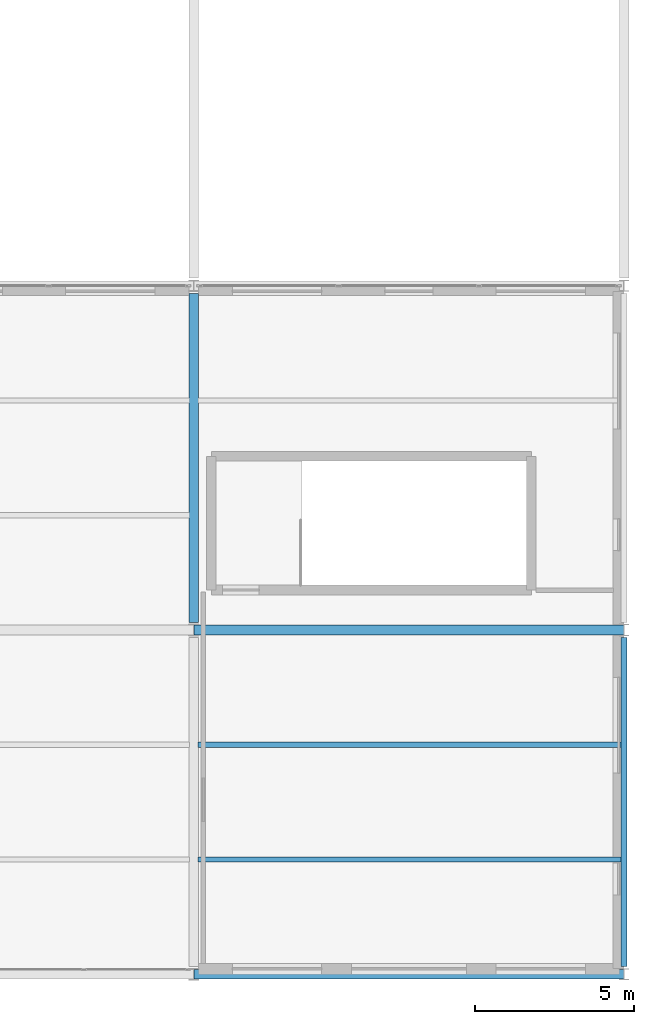
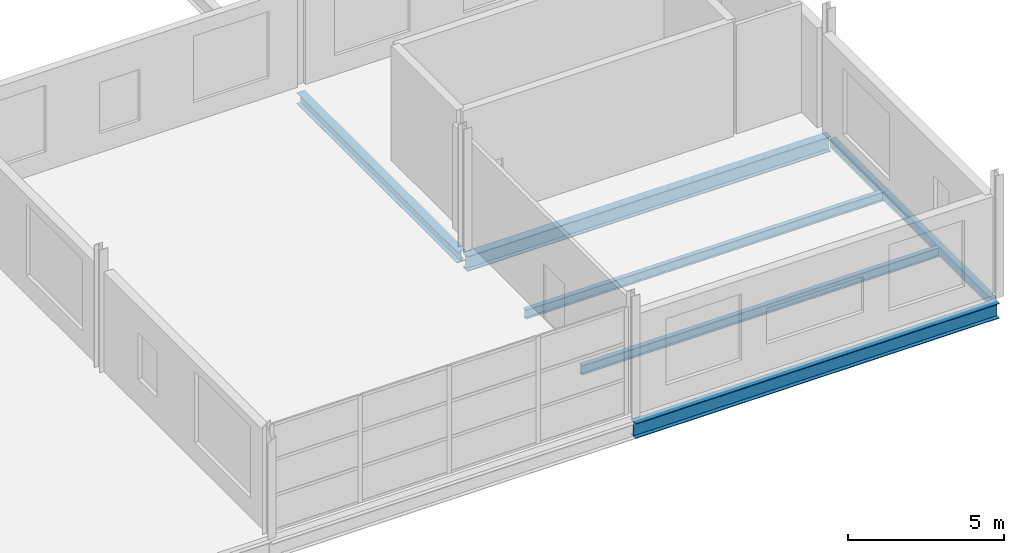
# One storey, part 90 of 134: 6 beams.
"""IFC4 building model written with IfcOpenShell, lengths in metres."""

from ifc_helpers import new_model, si_unit, direction, frame, origin, origin_2d, place, context, subcontext, project, spatial, hollow_rectangle, i_section, extrude, material, material_profile, profile_set, type_object, element, save


model = new_model("IFC4")

# Units and contexts
model_context = context("Model", 3, precision=1e-05, world=origin(), true_north=direction((0.0, 1.0)))
body_context = subcontext(model_context, "Body", "Model", "MODEL_VIEW")
ifc_project = project(units=[si_unit("LENGTHUNIT", "METRE"), si_unit("AREAUNIT", "SQUARE_METRE"), si_unit("VOLUMEUNIT", "CUBIC_METRE"), si_unit("PLANEANGLEUNIT", "RADIAN"), si_unit("MASSUNIT", "GRAM", prefix="KILO")], contexts=[model_context])

# Site, building, storey
site_placement = place(None, origin())
site = spatial("IfcSite", under=ifc_project, at=site_placement, CompositionType="ELEMENT")
building_placement = place(site_placement, origin())
building = spatial("IfcBuilding", under=site, at=building_placement, Name="Tamarisk Ironworks Central Station", CompositionType="ELEMENT")
storey_placement = place(building_placement, frame((0.0, 0.0, 12.60009765625)))
storey = spatial("IfcBuildingStorey", under=building, at=storey_placement, Name="L02", CompositionType="ELEMENT", Elevation=12.60009765625)

# Beams
ifc_material = material(Name="Structural steel S355J2", Category="steel")
ifc_material_profile_1 = material_profile(ifc_material, i_section(OverallWidth=0.169921875, OverallDepth=0.360107421875, WebThickness=0.008056640625, FlangeThickness=0.0126953125, at=origin_2d()), Name="IPE 360")
ifc_profile_set_1 = profile_set([ifc_material_profile_1], Name="Structural steel S355J2")
beam_type_1 = type_object("IfcBeamType", Name="BM-B05", PredefinedType="BEAM", material=ifc_profile_set_1)
for number, where, z_axis, x_axis, name in (
    (1, (166.635009765625, 3.60009765625, -0.43017578125), (1.0, 0.0, 0.0), (0.0, 1.0, 0.0), "L02 secondary composite beam 0194"),
    (2, (166.635009765625, 7.199951171875, -0.43017578125), (1.0, 0.0, 0.0), (0.0, 1.0, 0.0), "L02 secondary composite beam 0195"),
):
    element("IfcBeam", number, at=place(storey_placement, frame(where, z_axis=z_axis, x_axis=x_axis)), inside=storey, type_object=beam_type_1, Name=name, PredefinedType="BEAM", context=body_context, shape_type="SweptSolid", body=[
        extrude(i_section(OverallWidth=0.169921875, OverallDepth=0.360107421875, WebThickness=0.008056640625, FlangeThickness=0.0126953125, at=origin_2d()), origin(), (0.0, 0.0, 1.0), 13.280029296875),
    ])
ifc_material_profile_2 = material_profile(ifc_material, i_section(OverallWidth=0.300048828125, OverallDepth=0.590087890625, WebThickness=0.012939453125, FlangeThickness=0.02490234375, at=origin_2d()), Name="HEA 600")
ifc_profile_set_2 = profile_set([ifc_material_profile_2], Name="Structural steel S355J2")
beam_type_2 = type_object("IfcBeamType", Name="BM-G03", PredefinedType="BEAM", material=ifc_profile_set_2)
for number, where, z_axis, x_axis, name in (
    (3, (166.50390625, 0.0, -0.545166015625), (1.0, 0.0, 0.0), (0.0, 1.0, 0.0), "L02 primary girder X-0299"),
    (4, (166.50390625, 10.800048828125, -0.545166015625), (1.0, 0.0, 0.0), (0.0, 1.0, 0.0), "L02 primary girder X-0305"),
):
    element("IfcBeam", number, at=place(storey_placement, frame(where, z_axis=z_axis, x_axis=x_axis)), inside=storey, type_object=beam_type_2, Name=name, PredefinedType="BEAM", context=body_context, shape_type="SweptSolid", body=[
        extrude(i_section(OverallWidth=0.300048828125, OverallDepth=0.590087890625, WebThickness=0.012939453125, FlangeThickness=0.02490234375, at=origin_2d()), origin(), (0.0, 0.0, 1.0), 13.4921875),
    ])
ifc_material_profile_3 = material_profile(ifc_material, i_section(OverallWidth=0.300048828125, OverallDepth=0.43994140625, WebThickness=0.011474609375, FlangeThickness=0.02099609375, at=origin_2d()), Name="HEA 450")
ifc_profile_set_3 = profile_set([ifc_material_profile_3], Name="Structural steel S355J2")
beam_type_3 = type_object("IfcBeamType", Name="BM-G06", PredefinedType="BEAM", material=ifc_profile_set_3)
beam_1_placement = place(storey_placement, frame((166.5, 11.0380859375, -0.47021484375), z_axis=(0.0, 1.0, 0.0), x_axis=(-1.0, 0.0, 0.0)))
element("IfcBeam", 5, at=beam_1_placement, inside=storey, type_object=beam_type_3, Name="L02 primary girder Y-0522", PredefinedType="BEAM", context=body_context, shape_type="SweptSolid", body=[
    extrude(i_section(OverallWidth=0.300048828125, OverallDepth=0.43994140625, WebThickness=0.011474609375, FlangeThickness=0.02099609375, at=origin_2d()), origin(), (0.0, 0.0, 1.0), 10.323974609375),
])
ifc_material_profile_4 = material_profile(ifc_material, hollow_rectangle(XDim=0.199951171875, YDim=0.35009765625, WallThickness=0.012451171875, at=origin_2d()), Name="RHS 350x200x12.5")
ifc_profile_set_4 = profile_set([ifc_material_profile_4], Name="Structural steel S355J2")
beam_type_4 = type_object("IfcBeamType", Name="BM-SP01", PredefinedType="SPANDREL", material=ifc_profile_set_4)
beam_2_placement = place(storey_placement, frame((180.0, 0.238037109375, -0.425048828125), z_axis=(0.0, 1.0, 0.0), x_axis=(-1.0, 0.0, 0.0)))
element("IfcBeam", 6, at=beam_2_placement, inside=storey, type_object=beam_type_4, Name="L02 primary girder Y-0530", PredefinedType="SPANDREL", context=body_context, shape_type="SweptSolid", body=[
    extrude(hollow_rectangle(XDim=0.199951171875, YDim=0.35009765625, WallThickness=0.012451171875, at=origin_2d()), origin(), (0.0, 0.0, 1.0), 10.323974609375),
])

save(model, "model.ifc")
